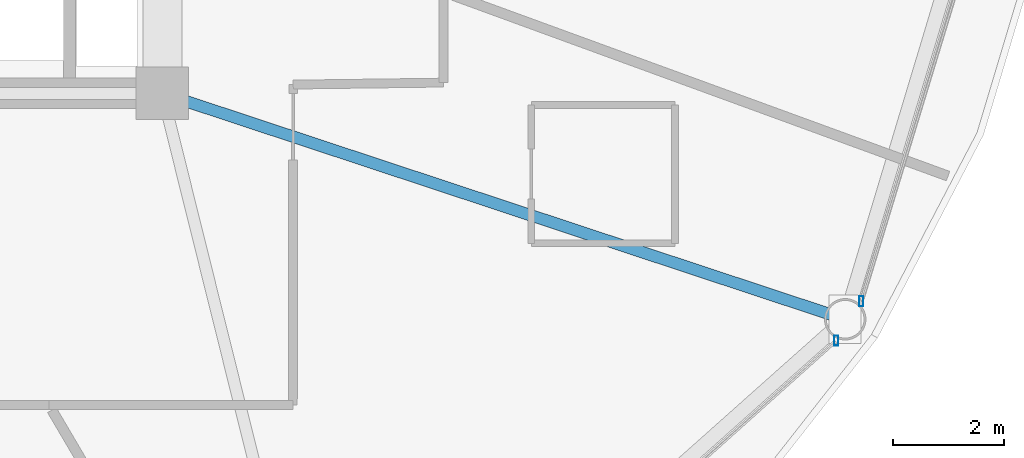
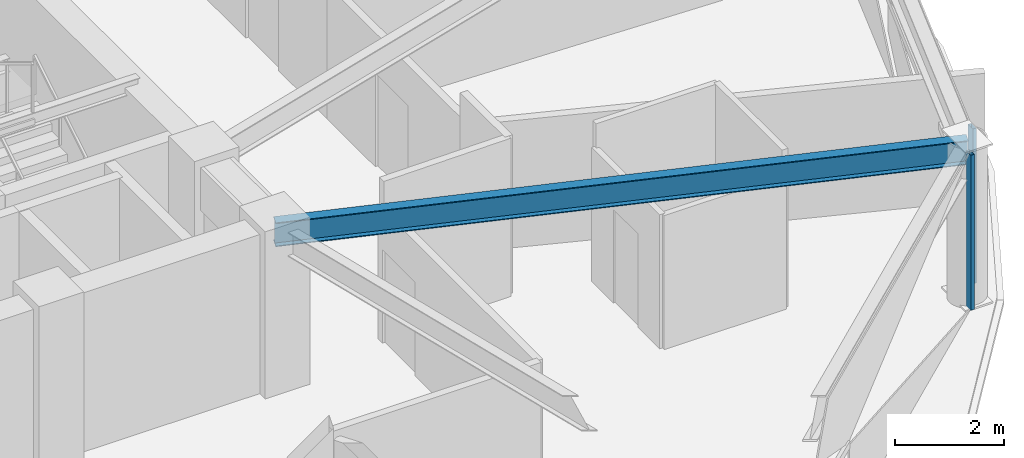
# One storey, part 11 of 31: 2 members, 1 beam, 2 elements without a shape of their own.
"""IFC4 building model written with IfcOpenShell, lengths in metres."""

from ifc_helpers import new_model, si_unit, direction, frame, origin, origin_2d, place, context, subcontext, project, spatial, hollow_rectangle, i_section, extrude, material, layer, layer_set, material_profile, profile_set, type_object, element, aggregate, save


model = new_model("IFC4")

# Units and contexts
model_context = context("Model", 3, precision=1e-05, world=origin(), true_north=direction((0.0, 1.0)))
body_context = subcontext(model_context, "Body", "Model", "MODEL_VIEW")
ifc_project = project(units=[si_unit("LENGTHUNIT", "METRE"), si_unit("AREAUNIT", "SQUARE_METRE"), si_unit("VOLUMEUNIT", "CUBIC_METRE"), si_unit("PLANEANGLEUNIT", "RADIAN"), si_unit("MASSUNIT", "GRAM", prefix="KILO")], contexts=[model_context])

# Site, building, storey
site_placement = place(None, origin())
site = spatial("IfcSite", under=ifc_project, at=site_placement, CompositionType="ELEMENT")
building_placement = place(site_placement, origin())
building = spatial("IfcBuilding", under=site, at=building_placement, Name="Vantalir Tower", CompositionType="ELEMENT")
storey_placement = place(building_placement, frame((0.0, 0.0, 115.949951171875)))
storey = spatial("IfcBuildingStorey", under=building, at=storey_placement, Name="L28", CompositionType="ELEMENT", Elevation=115.949951171875)

# Beam
ifc_material_1 = material(Name="Steel S355", Category="steel")
ifc_material_profile_1 = material_profile(ifc_material_1, i_section(OverallWidth=0.2109375, OverallDepth=0.5390625, WebThickness=0.01171875, FlangeThickness=0.018798828125, at=origin_2d()), Name="Steel S355")
ifc_profile_set_1 = profile_set([ifc_material_profile_1], Name="Steel S355")
beam_type = type_object("IfcBeamType", Name="BM-RB-533x210", PredefinedType="BEAM", material=ifc_profile_set_1)
beam_placement = place(storey_placement, frame((53.445068359375, 13.717041015625, 3.300048828125), z_axis=(-0.949418619953, 0.314013190944, 0.0), x_axis=(-0.314013190944, -0.949418619953, 0.0)))
element("IfcBeam", 1, at=beam_placement, inside=storey, type_object=beam_type, Name="L28 Radial Floor Beam 12", PredefinedType="BEAM", context=body_context, shape_type="SweptSolid", body=[
    extrude(i_section(OverallWidth=0.2109375, OverallDepth=0.5390625, WebThickness=0.01171875, FlangeThickness=0.018798828125, at=origin_2d()), origin(), (0.0, 0.0, 1.0), 13.002685546875),
])

# Curtain wall, member
ifc_material_2 = material(Name="Champagne-silver PVDF aluminium and double-silver Low-E glass", Category="aluminium")
ifc_layer = layer(ifc_material_2, 0.199951171875)
ifc_layer_set = layer_set([ifc_layer], Name="Champagne-silver PVDF aluminium and double-silver Low-E glass")
curtain_wall_type = type_object("IfcCurtainWallType", Name="CW-DIAMOND-Z2", PredefinedType="USERDEFINED", material=ifc_layer_set)
curtain_wall_1_placement = place(storey_placement, origin())
curtain_wall_1 = element("IfcCurtainWall", 2, at=curtain_wall_1_placement, inside=storey, type_object=curtain_wall_type, Name="L28 Quilted Pyramid-Diamond Curtain Wall S11", ObjectType="UNITISED CURTAIN WALL", PredefinedType="USERDEFINED")
ifc_material_3 = material(Name="Champagne-silver PVDF aluminium 6063-T6", Category="aluminium")
ifc_material_profile_2 = material_profile(ifc_material_3, hollow_rectangle(XDim=0.074951171875, YDim=0.179931640625, WallThickness=0.00390625, at=origin_2d()), Name="Champagne-silver PVDF aluminium 6063-T6")
ifc_profile_set_2 = profile_set([ifc_material_profile_2], Name="Champagne-silver PVDF aluminium 6063-T6")
member_type = type_object("IfcMemberType", Name="CWM-180x75", PredefinedType="MULLION", material=ifc_profile_set_2)
member_1_placement = place(storey_placement, frame((53.281982421875, 13.3291015625, 0.045166015625), z_axis=(0.0, 0.0, 1.0), x_axis=(1.0, 0.0, 0.0)))
member_1 = element("IfcMember", 3, at=member_1_placement, type_object=member_type, Name="CW-L28-S11 Mullion 2", PredefinedType="MULLION", context=body_context, shape_type="SweptSolid", body=[
    extrude(hollow_rectangle(XDim=0.074951171875, YDim=0.179931640625, WallThickness=0.00390625, at=origin_2d()), origin(), (0.0, 0.0, 1.0), 3.47998046875),
])
aggregate(curtain_wall_1, [member_1])

curtain_wall_2_placement = place(storey_placement, origin())
curtain_wall_2 = element("IfcCurtainWall", 4, at=curtain_wall_2_placement, inside=storey, type_object=curtain_wall_type, Name="L28 Quilted Pyramid-Diamond Curtain Wall S12", ObjectType="UNITISED CURTAIN WALL", PredefinedType="USERDEFINED")
member_2_placement = place(storey_placement, frame((53.737060546875, 14.04296875, 0.045166015625), z_axis=(0.0, 0.0, 1.0), x_axis=(1.0, 0.0, 0.0)))
member_2 = element("IfcMember", 5, at=member_2_placement, type_object=member_type, Name="CW-L28-S12 Mullion 1", PredefinedType="MULLION", context=body_context, shape_type="SweptSolid", body=[
    extrude(hollow_rectangle(XDim=0.074951171875, YDim=0.179931640625, WallThickness=0.00390625, at=origin_2d()), origin(), (0.0, 0.0, 1.0), 3.47998046875),
])
aggregate(curtain_wall_2, [member_2])

save(model, "model.ifc")
